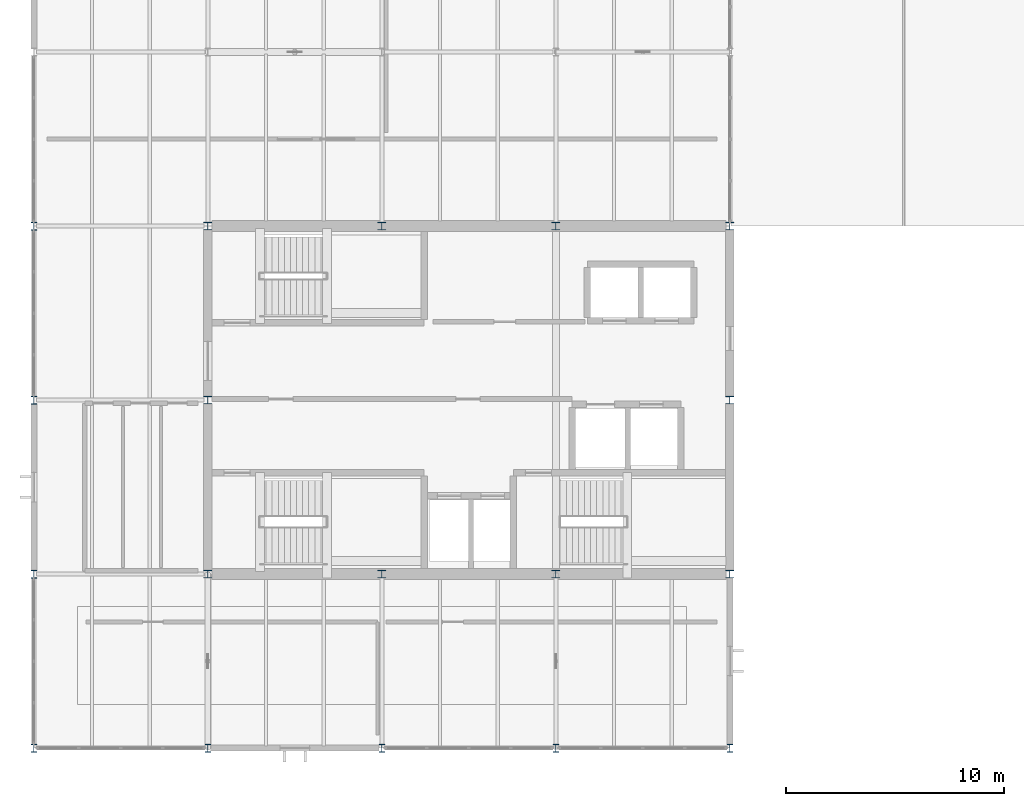
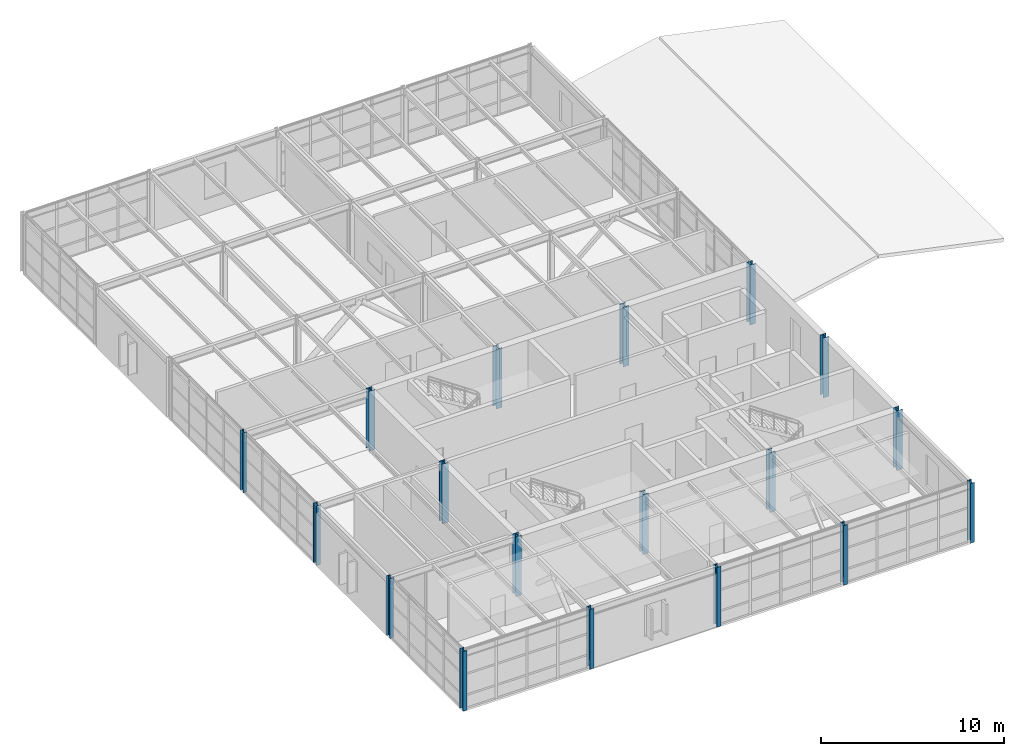
# One storey, part 1 of 20: 18 columns.
"""IFC4 building model written with IfcOpenShell, lengths in metres."""

from ifc_helpers import new_model, si_unit, direction, frame, origin, origin_2d, place, context, subcontext, project, spatial, i_section, extrude, material, material_profile, profile_set, type_object, element, save


model = new_model("IFC4")

# Units and contexts
model_context = context("Model", 3, precision=1e-05, world=origin(), true_north=direction((0.0, 1.0)))
body_context = subcontext(model_context, "Body", "Model", "MODEL_VIEW")
ifc_project = project(units=[si_unit("LENGTHUNIT", "METRE"), si_unit("AREAUNIT", "SQUARE_METRE"), si_unit("VOLUMEUNIT", "CUBIC_METRE"), si_unit("PLANEANGLEUNIT", "RADIAN"), si_unit("MASSUNIT", "GRAM", prefix="KILO")], contexts=[model_context])

# Site, building, storey
site_placement = place(None, origin())
site = spatial("IfcSite", under=ifc_project, at=site_placement, CompositionType="ELEMENT")
building_placement = place(site_placement, origin())
building = spatial("IfcBuilding", under=site, at=building_placement, Name="Varnela Railside Interchange", CompositionType="ELEMENT")
storey_placement = place(building_placement, frame((0.0, 0.0, 28.0)))
storey = spatial("IfcBuildingStorey", under=building, at=storey_placement, Name="L06", CompositionType="ELEMENT", Elevation=28.0)

# Columns
ifc_material = material(Name="Steel AR 350 (350 MPa)", Category="steel")
ifc_material_profile_1 = material_profile(ifc_material, i_section(OverallWidth=0.3701171875, OverallDepth=0.360107421875, WebThickness=0.01220703125, FlangeThickness=0.019775390625, at=origin_2d()), Name="W360x147")
ifc_profile_set_1 = profile_set([ifc_material_profile_1], Name="Steel AR 350 (350 MPa)")
column_type_1 = type_object("IfcColumnType", Name="Superstructure Steel Col C-19", PredefinedType="COLUMN", material=ifc_profile_set_1)
for number, where, z_axis, x_axis, name in (
    (1, (12.0, 54.0, 0.0), (0.0, 0.0, 1.0), (1.0, 0.0, 0.0), "Column C-19 (L06) (CL-1023)"),
    (2, (12.0, 62.0, 0.0), (0.0, 0.0, 1.0), (1.0, 0.0, 0.0), "Column C-19 (L06) (CL-1024)"),
    (3, (12.0, 70.0, 0.0), (0.0, 0.0, 1.0), (1.0, 0.0, 0.0), "Column C-19 (L06) (CL-1025)"),
    (4, (20.0, 54.0, 0.0), (0.0, 0.0, 1.0), (1.0, 0.0, 0.0), "Column C-19 (L06) (CL-1030)"),
    (5, (20.0, 70.0, 0.0), (0.0, 0.0, 1.0), (1.0, 0.0, 0.0), "Column C-19 (L06) (CL-1031)"),
    (6, (28.0, 54.0, 0.0), (0.0, 0.0, 1.0), (1.0, 0.0, 0.0), "Column C-19 (L06) (CL-1036)"),
    (7, (28.0, 70.0, 0.0), (0.0, 0.0, 1.0), (1.0, 0.0, 0.0), "Column C-19 (L06) (CL-1037)"),
    (8, (36.0, 54.0, 0.0), (0.0, 0.0, 1.0), (1.0, 0.0, 0.0), "Column C-19 (L06) (CL-1042)"),
    (9, (36.0, 62.0, 0.0), (0.0, 0.0, 1.0), (1.0, 0.0, 0.0), "Column C-19 (L06) (CL-1043)"),
    (10, (36.0, 70.0, 0.0), (0.0, 0.0, 1.0), (1.0, 0.0, 0.0), "Column C-19 (L06) (CL-1044)"),
):
    element("IfcColumn", number, at=place(storey_placement, frame(where, z_axis=z_axis, x_axis=x_axis)), inside=storey, type_object=column_type_1, Name=name, PredefinedType="COLUMN", context=body_context, shape_type="SweptSolid", body=[
        extrude(i_section(OverallWidth=0.3701171875, OverallDepth=0.360107421875, WebThickness=0.01220703125, FlangeThickness=0.019775390625, at=origin_2d()), origin(), (0.0, 0.0, 1.0), 3.97998046875),
    ])
ifc_material_profile_2 = material_profile(ifc_material, i_section(OverallWidth=0.257080078125, OverallDepth=0.363037109375, WebThickness=0.012939453125, FlangeThickness=0.021728515625, at=origin_2d()), Name="W360x122")
ifc_profile_set_2 = profile_set([ifc_material_profile_2], Name="Steel AR 350 (350 MPa)")
column_type_2 = type_object("IfcColumnType", Name="Superstructure Steel Col C-20", PredefinedType="COLUMN", material=ifc_profile_set_2)
for number, where, z_axis, x_axis, name in (
    (11, (4.0, 46.0, 0.0), (0.0, 0.0, 1.0), (1.0, 0.0, 0.0), "Column C-20 (L06) (CL-1015)"),
    (12, (4.0, 54.0, 0.0), (0.0, 0.0, 1.0), (1.0, 0.0, 0.0), "Column C-20 (L06) (CL-1016)"),
    (13, (4.0, 62.0, 0.0), (0.0, 0.0, 1.0), (1.0, 0.0, 0.0), "Column C-20 (L06) (CL-1017)"),
    (14, (4.0, 70.0, 0.0), (0.0, 0.0, 1.0), (1.0, 0.0, 0.0), "Column C-20 (L06) (CL-1018)"),
    (15, (12.0, 46.0, 0.0), (0.0, 0.0, 1.0), (1.0, 0.0, 0.0), "Column C-20 (L06) (CL-1022)"),
    (16, (20.0, 46.0, 0.0), (0.0, 0.0, 1.0), (1.0, 0.0, 0.0), "Column C-20 (L06) (CL-1029)"),
    (17, (28.0, 46.0, 0.0), (0.0, 0.0, 1.0), (1.0, 0.0, 0.0), "Column C-20 (L06) (CL-1035)"),
    (18, (36.0, 46.0, 0.0), (0.0, 0.0, 1.0), (1.0, 0.0, 0.0), "Column C-20 (L06) (CL-1041)"),
):
    element("IfcColumn", number, at=place(storey_placement, frame(where, z_axis=z_axis, x_axis=x_axis)), inside=storey, type_object=column_type_2, Name=name, PredefinedType="COLUMN", context=body_context, shape_type="SweptSolid", body=[
        extrude(i_section(OverallWidth=0.257080078125, OverallDepth=0.363037109375, WebThickness=0.012939453125, FlangeThickness=0.021728515625, at=origin_2d()), origin(), (0.0, 0.0, 1.0), 3.97998046875),
    ])

save(model, "model.ifc")
